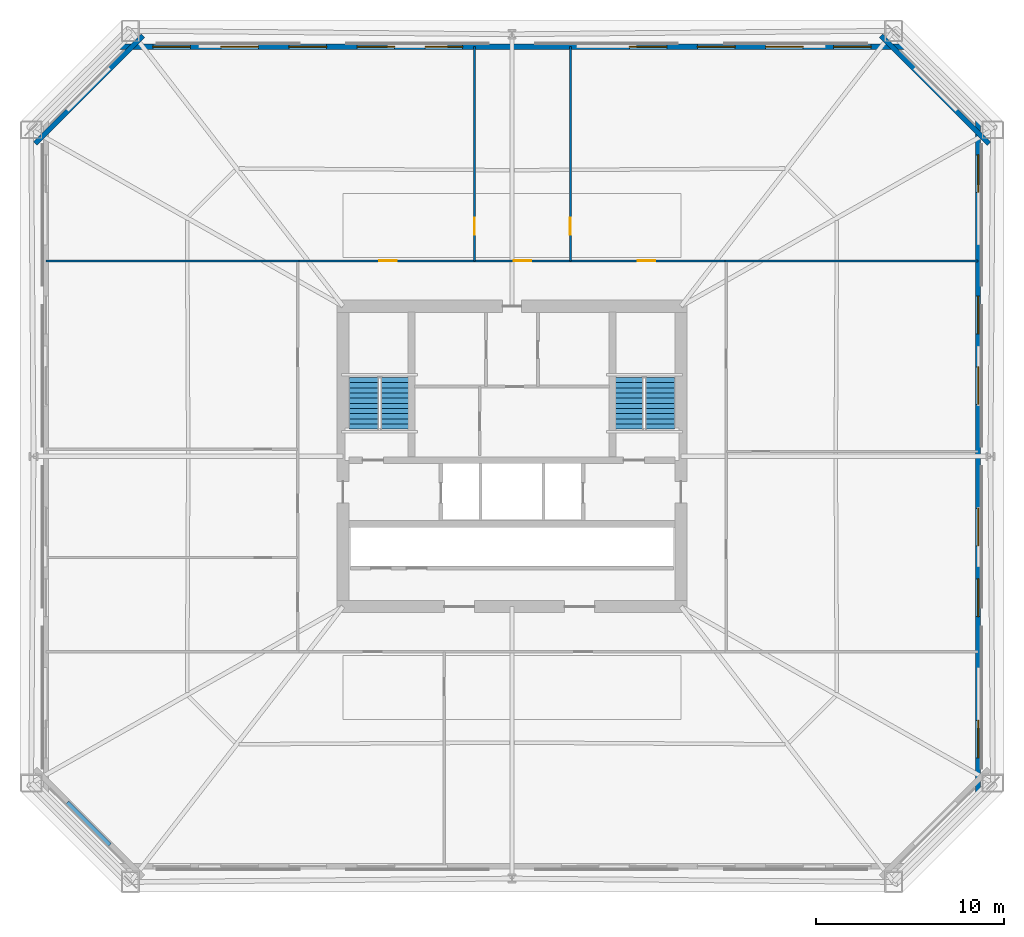
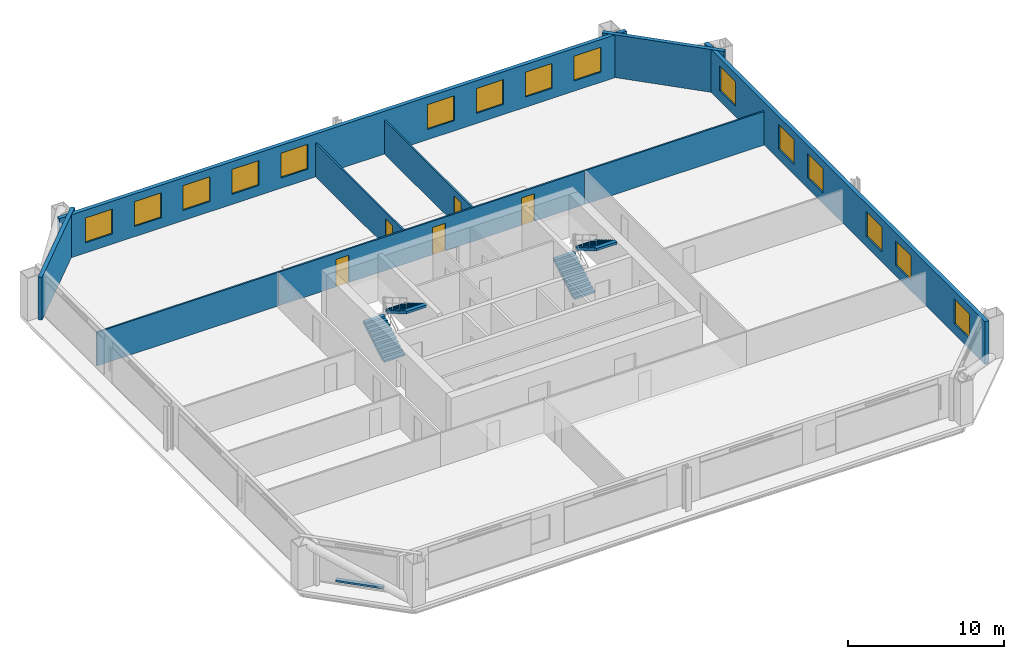
# One storey, part 7 of 11: 15 windows, 9 walls, 5 doors, 4 stair flights, 1 discrete accessory, 20 openings, 2 elements without a shape of their own.
"""IFC4 building model written with IfcOpenShell, lengths in metres."""

import ifcopenshell
import ifcopenshell.guid

model = None  # the IFC model being written
_history = None  # IfcOwnerHistory: only IFC2X3 demands one
_inside = {}  # id of a spatial element -> (the spatial element, [elements in it])
_under = {}  # id of a project, library or spatial element -> (it, [spatial elements below it])
_declared = {}  # id of a project -> (the project, [libraries it declares])
_typed = {}  # id of a type object -> (the type object, [elements of that type])
_made_of = {}  # id of a material, layer set ... -> (it, [elements and type objects made of it])


def new_model(schema):
    """Start an empty IFC model of exactly this schema.

    Asked for "IFC4X3", IfcOpenShell would pick the latest addendum, in which some entities
    have other attributes; the version numbers below select the first issue.
    IFC2X3 requires an IfcOwnerHistory on every rooted entity: one is made here for all.
    """
    global model, _history
    if schema == "IFC4X3":
        model = ifcopenshell.file(schema_version=(4, 3, 0, 0))
    else:
        model = ifcopenshell.file(schema=schema)
    _inside.clear()
    _under.clear()
    _declared.clear()
    _typed.clear()
    _made_of.clear()
    _history = None
    if model.schema == "IFC2X3":
        org = make("IfcOrganization", Name="unknown")
        user = make(
            "IfcPersonAndOrganization",
            ThePerson=make("IfcPerson", FamilyName="unknown"),
            TheOrganization=org,
        )
        app = make(
            "IfcApplication",
            ApplicationDeveloper=org,
            Version="unknown",
            ApplicationFullName="unknown",
            ApplicationIdentifier="unknown",
        )
        _history = make(
            "IfcOwnerHistory",
            OwningUser=user,
            OwningApplication=app,
            ChangeAction="ADDED",
            CreationDate=0,
        )
    return model


def make(cls, **values):
    """One entity of the class cls with the attributes given. An attribute that is None is left unset."""
    return model.create_entity(
        cls, **{name: value for name, value in values.items() if value is not None}
    )


def rooted(cls, **values):
    """An entity with a GlobalId (a new one), such as an element, a storey or a relation."""
    return make(cls, GlobalId=ifcopenshell.guid.new(), OwnerHistory=_history, **values)


def si_unit(unit_type, name, prefix=None):
    """IfcSIUnit, for example si_unit("LENGTHUNIT", "METRE", prefix="MILLI")."""
    return make("IfcSIUnit", UnitType=unit_type, Prefix=prefix, Name=name)


def assignment(units):
    """IfcUnitAssignment: the units of a project."""
    return None if units is None else make("IfcUnitAssignment", Units=units)


def point(xyz):
    """IfcCartesianPoint."""
    return None if xyz is None else make("IfcCartesianPoint", Coordinates=xyz)


def direction(xyz):
    """IfcDirection."""
    return None if xyz is None else make("IfcDirection", DirectionRatios=xyz)


def frame(location, z_axis=None, x_axis=None):
    """IfcAxis2Placement3D, a coordinate frame: its origin and axes. An axis left out is left unset."""
    return make(
        "IfcAxis2Placement3D",
        Location=point(location),
        Axis=direction(z_axis),
        RefDirection=direction(x_axis),
    )


def frame_2d(location, x_axis=None):
    """IfcAxis2Placement2D, a coordinate frame in the plane: its origin and x axis."""
    return make(
        "IfcAxis2Placement2D", Location=point(location), RefDirection=direction(x_axis)
    )


def origin():
    """The frame at (0, 0, 0) with its axes left unset."""
    return frame((0.0, 0.0, 0.0))


def origin_2d():
    """The frame at (0, 0) in the plane with its x axis left unset."""
    return frame_2d((0.0, 0.0))


def place(relative_to, where):
    """IfcLocalPlacement: puts the frame where relative to a parent placement (None: the world)."""
    return make(
        "IfcLocalPlacement", PlacementRelTo=relative_to, RelativePlacement=where
    )


def context(
    kind, dimensions, precision=None, world=None, true_north=None, identifier=None
):
    """IfcGeometricRepresentationContext, for example the 3D "Model" context."""
    return make(
        "IfcGeometricRepresentationContext",
        ContextIdentifier=identifier,
        ContextType=kind,
        CoordinateSpaceDimension=dimensions,
        Precision=precision,
        WorldCoordinateSystem=world,
        TrueNorth=true_north,
    )


def subcontext(parent, identifier, kind, view, scale=None):
    """IfcGeometricRepresentationSubContext, for example "Body" below "Model"."""
    return make(
        "IfcGeometricRepresentationSubContext",
        ContextIdentifier=identifier,
        ContextType=kind,
        ParentContext=parent,
        TargetScale=scale,
        TargetView=view,
    )


def project(units=None, contexts=None):
    """IfcProject with its units and contexts."""
    return rooted(
        "IfcProject",
        Name="project",
        RepresentationContexts=contexts,
        UnitsInContext=assignment(units),
    )


def spatial(cls, under=None, at=None, **own):
    """A site, building, storey or space (cls), placed at a placement, below another one or the project."""
    s = rooted(cls, ObjectPlacement=at, **own)
    if under is not None:
        _under.setdefault(under.id(), (under, []))[1].append(s)
    return s


def polyline(points):
    """IfcPolyline through the points."""
    return make("IfcPolyline", Points=[point(p) for p in points])


def profile(cls, at=None, kind="AREA", **sizes):
    """A parametric profile (cls). Its sizes go by their IFC names, for example OverallWidth=200.0."""
    return make(cls, ProfileType=kind, Position=at, **sizes)


def rectangle(**sizes):
    """IfcRectangleProfileDef."""
    return profile("IfcRectangleProfileDef", **sizes)


def outline(outer, holes=None, kind="AREA"):
    """IfcArbitraryClosedProfileDef: a profile drawn as a closed curve; with holes, ...WithVoids."""
    if holes is None:
        return make("IfcArbitraryClosedProfileDef", ProfileType=kind, OuterCurve=outer)
    return make(
        "IfcArbitraryProfileDefWithVoids",
        ProfileType=kind,
        OuterCurve=outer,
        InnerCurves=holes,
    )


def extrude(swept, where, along, depth):
    """IfcExtrudedAreaSolid: the profile swept, set in the frame where, extruded along a direction by depth."""
    return make(
        "IfcExtrudedAreaSolid",
        SweptArea=swept,
        Position=where,
        ExtrudedDirection=direction(along),
        Depth=depth,
    )


def shape(context_of_items, identifier, shape_type, items):
    """IfcShapeRepresentation: the items that make up one representation, for example the "Body"."""
    return make(
        "IfcShapeRepresentation",
        ContextOfItems=context_of_items,
        RepresentationIdentifier=identifier,
        RepresentationType=shape_type,
        Items=items,
    )


def material(Name=None, Category=None):
    """IfcMaterial."""
    return make("IfcMaterial", Name=Name, Category=Category)


def layer(
    of_material, thickness, ventilated=None, Name=None, Category=None, Priority=None
):
    """IfcMaterialLayer: one layer of a wall or slab, of a material (None: an air gap)."""
    return make(
        "IfcMaterialLayer",
        Material=of_material,
        LayerThickness=thickness,
        IsVentilated=ventilated,
        Name=Name,
        Category=Category,
        Priority=Priority,
    )


def layer_set(layers, Name=None):
    """IfcMaterialLayerSet."""
    return make("IfcMaterialLayerSet", MaterialLayers=layers, LayerSetName=Name)


def made_of(thing, what):
    """Note that an element or type object is made of a material, layer set ...; save() writes the relation."""
    if what is not None:
        _made_of.setdefault(what.id(), (what, []))[1].append(thing)
    return thing


def type_object(cls, material=None, **own):
    """A type object (cls), such as IfcWallType, which elements share."""
    return made_of(rooted(cls, **own), material)


def element(
    cls,
    number,
    at=None,
    inside=None,
    cuts=None,
    type_object=None,
    material=None,
    context=None,
    identifier="Body",
    shape_type=None,
    held_by="IfcProductDefinitionShape",
    body=None,
    shapes=None,
    **own,
):
    """One element of the class cls, such as IfcWall. Its Tag is "e" and its number.

    at: its placement. inside: the storey or other place that contains it. cuts: it is an
    opening in that element (IfcRelVoidsElement). A single representation is given by context,
    identifier, shape_type and body (its items); several are given by shapes. held_by: the class
    of the entity that holds the representations. save() writes the other relations.
    """
    e = rooted(cls, Tag="e%d" % number, ObjectPlacement=at, **own)
    if body is not None:
        shapes = [shape(context, identifier, shape_type, body)]
    if shapes is not None:
        e.Representation = make(held_by, Representations=shapes)
    if inside is not None:
        _inside.setdefault(inside.id(), (inside, []))[1].append(e)
    if cuts is not None:
        rooted(
            "IfcRelVoidsElement", RelatingBuildingElement=cuts, RelatedOpeningElement=e
        )
    if type_object is not None:
        _typed.setdefault(type_object.id(), (type_object, []))[1].append(e)
    return made_of(e, material)


def fill(opening, filler):
    """IfcRelFillsElement: the door or window that sits in an opening."""
    return rooted(
        "IfcRelFillsElement",
        RelatingOpeningElement=opening,
        RelatedBuildingElement=filler,
    )


def aggregate(whole, parts):
    """IfcRelAggregates: a whole, such as a stair, and the parts it consists of."""
    return rooted("IfcRelAggregates", RelatingObject=whole, RelatedObjects=parts)


def save(model, path):
    """Write the relations noted so far, then the file.

    IfcRelAggregates (storeys below a building ...), IfcRelContainedInSpatialStructure (elements
    in a storey), IfcRelDefinesByType, IfcRelAssociatesMaterial and IfcRelDeclares: one each for
    every whole, place, type object, material and project.
    """
    for whole, parts in _under.values():
        aggregate(whole, parts)
    for where, things in _inside.values():
        rooted(
            "IfcRelContainedInSpatialStructure",
            RelatedElements=things,
            RelatingStructure=where,
        )
    for kind, things in _typed.values():
        rooted("IfcRelDefinesByType", RelatedObjects=things, RelatingType=kind)
    for what, things in _made_of.values():
        rooted("IfcRelAssociatesMaterial", RelatedObjects=things, RelatingMaterial=what)
    for by, libraries in _declared.values():
        rooted("IfcRelDeclares", RelatingContext=by, RelatedDefinitions=libraries)
    model.write(path)


model = new_model("IFC4")

# Units and contexts
model_context = context("Model", 3, precision=1e-05, world=origin(), true_north=direction((0.0, 1.0)))
body_context = subcontext(model_context, "Body", "Model", "MODEL_VIEW")
ifc_project = project(units=[si_unit("LENGTHUNIT", "METRE"), si_unit("AREAUNIT", "SQUARE_METRE"), si_unit("VOLUMEUNIT", "CUBIC_METRE"), si_unit("PLANEANGLEUNIT", "RADIAN"), si_unit("MASSUNIT", "GRAM", prefix="KILO")], contexts=[model_context])

# Site, building, storey
site_placement = place(None, origin())
site = spatial("IfcSite", under=ifc_project, at=site_placement, CompositionType="ELEMENT")
building_placement = place(site_placement, origin())
building = spatial("IfcBuilding", under=site, at=building_placement, Name="Caelvoria Tower", CompositionType="ELEMENT")
storey_placement = place(building_placement, frame((0.0, 0.0, 74.800048828125)))
storey = spatial("IfcBuildingStorey", under=building, at=storey_placement, Name="L19", CompositionType="ELEMENT", Elevation=74.800048828125)

# Wall, openings, windows
ifc_material_1 = material(Name="Precast Concrete C40/50 with Bronze Cladding", Category="concrete")
ifc_layer_1 = layer(ifc_material_1, 0.280029296875, Name="Precast Concrete C40/50 with Bronze Cladding")
ifc_layer_set_1 = layer_set([ifc_layer_1], Name="Exterior Precast Concrete C40/50 Bronze-Clad Facade Wall 280 - Precast Concrete C40/50 with Bronze Cladding")
wall_type_1 = type_object("IfcWallType", Name="Exterior Precast Concrete C40/50 Bronze-Clad Facade Wall 280", PredefinedType="STANDARD", material=ifc_layer_set_1)
wall_1_placement = place(storey_placement, frame((70.820068359375, 13.9599609375, 0.0), z_axis=(0.0, 0.0, 1.0), x_axis=(0.0, 1.0, 0.0)))
wall_1 = element("IfcWall", 1, at=wall_1_placement, inside=storey, type_object=wall_type_1, Name="Exterior Facade Wall L19-E2", PredefinedType="STANDARD", context=body_context, shape_type="SweptSolid", body=[
    extrude(rectangle(XDim=36.080078125, YDim=0.280029296875, at=frame_2d((18.0400390625, 0.0))), origin(), (0.0, 0.0, 1.0), 3.35986328125),
])
opening_1_placement = place(wall_1_placement, frame((1.982177734375, 0.0, 0.800048828125)))
opening_1 = element("IfcOpeningElement", 2, at=opening_1_placement, cuts=wall_1, Name="Opening WN-01", PredefinedType="OPENING", context=body_context, shape_type="SweptSolid", body=[
    extrude(rectangle(XDim=2.0, YDim=1.949951171875, at=frame_2d((1.0, 0.97509765625))), frame((0.0, 0.14990234375, 0.0), z_axis=(0.0, -1.0, 0.0), x_axis=(1.0, 0.0, 0.0)), (0.0, 0.0, 1.0), 0.300048828125),
])
opening_2_placement = place(wall_1_placement, frame((9.510986328125, 0.0, 0.800048828125)))
opening_2 = element("IfcOpeningElement", 3, at=opening_2_placement, cuts=wall_1, Name="Opening WN-01", PredefinedType="OPENING", context=body_context, shape_type="SweptSolid", body=[
    extrude(rectangle(XDim=2.0, YDim=1.949951171875, at=frame_2d((1.0, 0.97509765625))), frame((0.0, 0.14990234375, 0.0), z_axis=(0.0, -1.0, 0.0), x_axis=(1.0, 0.0, 0.0)), (0.0, 0.0, 1.0), 0.300048828125),
])
opening_3_placement = place(wall_1_placement, frame((13.275634765625, 0.0, 0.800048828125)))
opening_3 = element("IfcOpeningElement", 4, at=opening_3_placement, cuts=wall_1, Name="Opening WN-01", PredefinedType="OPENING", context=body_context, shape_type="SweptSolid", body=[
    extrude(rectangle(XDim=2.0, YDim=1.949951171875, at=frame_2d((1.0, 0.97509765625))), frame((0.0, 0.14990234375, 0.0), z_axis=(0.0, -1.0, 0.0), x_axis=(1.0, 0.0, 0.0)), (0.0, 0.0, 1.0), 0.300048828125),
])
opening_4_placement = place(wall_1_placement, frame((20.804443359375, 0.0, 0.800048828125)))
opening_4 = element("IfcOpeningElement", 5, at=opening_4_placement, cuts=wall_1, Name="Opening WN-01", PredefinedType="OPENING", context=body_context, shape_type="SweptSolid", body=[
    extrude(rectangle(XDim=2.0, YDim=1.949951171875, at=frame_2d((1.0, 0.97509765625))), frame((0.0, 0.14990234375, 0.0), z_axis=(0.0, -1.0, 0.0), x_axis=(1.0, 0.0, 0.0)), (0.0, 0.0, 1.0), 0.300048828125),
])
opening_5_placement = place(wall_1_placement, frame((24.56884765625, 0.0, 0.800048828125)))
opening_5 = element("IfcOpeningElement", 6, at=opening_5_placement, cuts=wall_1, Name="Opening WN-01", PredefinedType="OPENING", context=body_context, shape_type="SweptSolid", body=[
    extrude(rectangle(XDim=2.0, YDim=1.949951171875, at=frame_2d((1.0, 0.97509765625))), frame((0.0, 0.14990234375, 0.0), z_axis=(0.0, -1.0, 0.0), x_axis=(1.0, 0.0, 0.0)), (0.0, 0.0, 1.0), 0.300048828125),
])
opening_6_placement = place(wall_1_placement, frame((32.097900390625, 0.0, 0.800048828125)))
opening_6 = element("IfcOpeningElement", 7, at=opening_6_placement, cuts=wall_1, Name="Opening WN-01", PredefinedType="OPENING", context=body_context, shape_type="SweptSolid", body=[
    extrude(rectangle(XDim=2.0, YDim=1.949951171875, at=frame_2d((1.0, 0.97509765625))), frame((0.0, 0.14990234375, 0.0), z_axis=(0.0, -1.0, 0.0), x_axis=(1.0, 0.0, 0.0)), (0.0, 0.0, 1.0), 0.300048828125),
])
ifc_material_2 = material(Name="Low-E Tinted Glass in Bronze Aluminium Frame", Category="aluminium")
window_type = type_object("IfcWindowType", Name="Tower Office Vision Window 2000x1950", PartitioningType="SINGLE_PANEL", PredefinedType="WINDOW", material=ifc_material_2)
window_1_placement = place(opening_1_placement, origin())
window_1 = element("IfcWindow", 8, at=window_1_placement, inside=storey, type_object=window_type, Name="Facade Window L19-E2-00", OverallHeight=1.949951171875, OverallWidth=2.0, PartitioningType="SINGLE_PANEL", PredefinedType="WINDOW", context=body_context, shape_type="SweptSolid", body=[
    extrude(rectangle(XDim=2.0, YDim=1.949951171875, at=frame_2d((1.0, 0.97509765625))), frame((0.0, 0.030029296875, 0.0), z_axis=(0.0, -1.0, 0.0), x_axis=(1.0, 0.0, 0.0)), (0.0, 0.0, 1.0), 0.06005859375),
])
fill(opening_1, window_1)
window_2_placement = place(opening_2_placement, origin())
window_2 = element("IfcWindow", 9, at=window_2_placement, inside=storey, type_object=window_type, Name="Facade Window L19-E2-02", OverallHeight=1.949951171875, OverallWidth=2.0, PartitioningType="SINGLE_PANEL", PredefinedType="WINDOW", context=body_context, shape_type="SweptSolid", body=[
    extrude(rectangle(XDim=2.0, YDim=1.949951171875, at=frame_2d((1.0, 0.97509765625))), frame((0.0, 0.030029296875, 0.0), z_axis=(0.0, -1.0, 0.0), x_axis=(1.0, 0.0, 0.0)), (0.0, 0.0, 1.0), 0.06005859375),
])
fill(opening_2, window_2)
window_3_placement = place(opening_3_placement, origin())
window_3 = element("IfcWindow", 10, at=window_3_placement, inside=storey, type_object=window_type, Name="Facade Window L19-E2-03", OverallHeight=1.949951171875, OverallWidth=2.0, PartitioningType="SINGLE_PANEL", PredefinedType="WINDOW", context=body_context, shape_type="SweptSolid", body=[
    extrude(rectangle(XDim=2.0, YDim=1.949951171875, at=frame_2d((1.0, 0.97509765625))), frame((0.0, 0.030029296875, 0.0), z_axis=(0.0, -1.0, 0.0), x_axis=(1.0, 0.0, 0.0)), (0.0, 0.0, 1.0), 0.06005859375),
])
fill(opening_3, window_3)
window_4_placement = place(opening_4_placement, origin())
window_4 = element("IfcWindow", 11, at=window_4_placement, inside=storey, type_object=window_type, Name="Facade Window L19-E2-05", OverallHeight=1.949951171875, OverallWidth=2.0, PartitioningType="SINGLE_PANEL", PredefinedType="WINDOW", context=body_context, shape_type="SweptSolid", body=[
    extrude(rectangle(XDim=2.0, YDim=1.949951171875, at=frame_2d((1.0, 0.97509765625))), frame((0.0, 0.030029296875, 0.0), z_axis=(0.0, -1.0, 0.0), x_axis=(1.0, 0.0, 0.0)), (0.0, 0.0, 1.0), 0.06005859375),
])
fill(opening_4, window_4)
window_5_placement = place(opening_5_placement, origin())
window_5 = element("IfcWindow", 12, at=window_5_placement, inside=storey, type_object=window_type, Name="Facade Window L19-E2-06", OverallHeight=1.949951171875, OverallWidth=2.0, PartitioningType="SINGLE_PANEL", PredefinedType="WINDOW", context=body_context, shape_type="SweptSolid", body=[
    extrude(rectangle(XDim=2.0, YDim=1.949951171875, at=frame_2d((1.0, 0.97509765625))), frame((0.0, 0.030029296875, 0.0), z_axis=(0.0, -1.0, 0.0), x_axis=(1.0, 0.0, 0.0)), (0.0, 0.0, 1.0), 0.06005859375),
])
fill(opening_5, window_5)
window_6_placement = place(opening_6_placement, origin())
window_6 = element("IfcWindow", 13, at=window_6_placement, inside=storey, type_object=window_type, Name="Facade Window L19-E2-08", OverallHeight=1.949951171875, OverallWidth=2.0, PartitioningType="SINGLE_PANEL", PredefinedType="WINDOW", context=body_context, shape_type="SweptSolid", body=[
    extrude(rectangle(XDim=2.0, YDim=1.949951171875, at=frame_2d((1.0, 0.97509765625))), frame((0.0, 0.030029296875, 0.0), z_axis=(0.0, -1.0, 0.0), x_axis=(1.0, 0.0, 0.0)), (0.0, 0.0, 1.0), 0.06005859375),
])
fill(opening_6, window_6)

# Wall
wall_2_placement = place(storey_placement, frame((71.393798828125, 48.654541015625, 0.0), z_axis=(0.0, 0.0, 1.0), x_axis=(-0.707106781187, 0.707106781187, 0.0)))
element("IfcWall", 14, at=wall_2_placement, inside=storey, type_object=wall_type_1, Name="Exterior Facade Wall L19-E3", PredefinedType="STANDARD", context=body_context, shape_type="SweptSolid", body=[
    extrude(rectangle(XDim=8.116455078125, YDim=0.280029296875, at=frame_2d((4.05810546875, 0.0))), origin(), (0.0, 0.0, 1.0), 3.35986328125),
])

# Wall, openings, windows
wall_3_placement = place(storey_placement, frame((67.0400390625, 53.820068359375, 0.0), z_axis=(0.0, 0.0, 1.0), x_axis=(-1.0, 0.0, 0.0)))
wall_3 = element("IfcWall", 15, at=wall_3_placement, inside=storey, type_object=wall_type_1, Name="Exterior Facade Wall L19-E4", PredefinedType="STANDARD", context=body_context, shape_type="SweptSolid", body=[
    extrude(rectangle(XDim=42.080078125, YDim=0.280029296875, at=frame_2d((21.0400390625, 0.0))), origin(), (0.0, 0.0, 1.0), 3.35986328125),
])
opening_7_placement = place(wall_3_placement, frame((1.91259765625, 0.0, 0.800048828125)))
opening_7 = element("IfcOpeningElement", 16, at=opening_7_placement, cuts=wall_3, Name="Opening WN-01", PredefinedType="OPENING", context=body_context, shape_type="SweptSolid", body=[
    extrude(rectangle(XDim=2.0, YDim=1.949951171875, at=frame_2d((1.0, 0.97509765625))), frame((0.0, 0.14990234375, 0.0), z_axis=(0.0, -1.0, 0.0), x_axis=(1.0, 0.0, 0.0)), (0.0, 0.0, 1.0), 0.300048828125),
])
opening_8_placement = place(wall_3_placement, frame((5.5380859375, 0.0, 0.800048828125)))
opening_8 = element("IfcOpeningElement", 17, at=opening_8_placement, cuts=wall_3, Name="Opening WN-01", PredefinedType="OPENING", context=body_context, shape_type="SweptSolid", body=[
    extrude(rectangle(XDim=2.0, YDim=1.949951171875, at=frame_2d((1.0, 0.97509765625))), frame((0.0, 0.14990234375, 0.0), z_axis=(0.0, -1.0, 0.0), x_axis=(1.0, 0.0, 0.0)), (0.0, 0.0, 1.0), 0.300048828125),
])
opening_9_placement = place(wall_3_placement, frame((9.16357421875, 0.0, 0.800048828125)))
opening_9 = element("IfcOpeningElement", 18, at=opening_9_placement, cuts=wall_3, Name="Opening WN-01", PredefinedType="OPENING", context=body_context, shape_type="SweptSolid", body=[
    extrude(rectangle(XDim=2.0, YDim=1.949951171875, at=frame_2d((1.0, 0.97509765625))), frame((0.0, 0.14990234375, 0.0), z_axis=(0.0, -1.0, 0.0), x_axis=(1.0, 0.0, 0.0)), (0.0, 0.0, 1.0), 0.300048828125),
])
opening_10_placement = place(wall_3_placement, frame((12.7890625, 0.0, 0.800048828125)))
opening_10 = element("IfcOpeningElement", 19, at=opening_10_placement, cuts=wall_3, Name="Opening WN-01", PredefinedType="OPENING", context=body_context, shape_type="SweptSolid", body=[
    extrude(rectangle(XDim=2.0, YDim=1.949951171875, at=frame_2d((1.0, 0.97509765625))), frame((0.0, 0.14990234375, 0.0), z_axis=(0.0, -1.0, 0.0), x_axis=(1.0, 0.0, 0.0)), (0.0, 0.0, 1.0), 0.300048828125),
])
opening_11_placement = place(wall_3_placement, frame((23.66552734375, 0.0, 0.800048828125)))
opening_11 = element("IfcOpeningElement", 20, at=opening_11_placement, cuts=wall_3, Name="Opening WN-01", PredefinedType="OPENING", context=body_context, shape_type="SweptSolid", body=[
    extrude(rectangle(XDim=2.0, YDim=1.949951171875, at=frame_2d((1.0, 0.97509765625))), frame((0.0, 0.14990234375, 0.0), z_axis=(0.0, -1.0, 0.0), x_axis=(1.0, 0.0, 0.0)), (0.0, 0.0, 1.0), 0.300048828125),
])
opening_12_placement = place(wall_3_placement, frame((27.291015625, 0.0, 0.800048828125)))
opening_12 = element("IfcOpeningElement", 21, at=opening_12_placement, cuts=wall_3, Name="Opening WN-01", PredefinedType="OPENING", context=body_context, shape_type="SweptSolid", body=[
    extrude(rectangle(XDim=2.0, YDim=1.949951171875, at=frame_2d((1.0, 0.97509765625))), frame((0.0, 0.14990234375, 0.0), z_axis=(0.0, -1.0, 0.0), x_axis=(1.0, 0.0, 0.0)), (0.0, 0.0, 1.0), 0.300048828125),
])
opening_13_placement = place(wall_3_placement, frame((30.91650390625, 0.0, 0.800048828125)))
opening_13 = element("IfcOpeningElement", 22, at=opening_13_placement, cuts=wall_3, Name="Opening WN-01", PredefinedType="OPENING", context=body_context, shape_type="SweptSolid", body=[
    extrude(rectangle(XDim=2.0, YDim=1.949951171875, at=frame_2d((1.0, 0.97509765625))), frame((0.0, 0.14990234375, 0.0), z_axis=(0.0, -1.0, 0.0), x_axis=(1.0, 0.0, 0.0)), (0.0, 0.0, 1.0), 0.300048828125),
])
opening_14_placement = place(wall_3_placement, frame((34.541748046875, 0.0, 0.800048828125)))
opening_14 = element("IfcOpeningElement", 23, at=opening_14_placement, cuts=wall_3, Name="Opening WN-01", PredefinedType="OPENING", context=body_context, shape_type="SweptSolid", body=[
    extrude(rectangle(XDim=2.0, YDim=1.949951171875, at=frame_2d((1.0, 0.97509765625))), frame((0.0, 0.14990234375, 0.0), z_axis=(0.0, -1.0, 0.0), x_axis=(1.0, 0.0, 0.0)), (0.0, 0.0, 1.0), 0.300048828125),
])
opening_15_placement = place(wall_3_placement, frame((38.167236328125, 0.0, 0.800048828125)))
opening_15 = element("IfcOpeningElement", 24, at=opening_15_placement, cuts=wall_3, Name="Opening WN-01", PredefinedType="OPENING", context=body_context, shape_type="SweptSolid", body=[
    extrude(rectangle(XDim=2.0, YDim=1.949951171875, at=frame_2d((1.0, 0.97509765625))), frame((0.0, 0.14990234375, 0.0), z_axis=(0.0, -1.0, 0.0), x_axis=(1.0, 0.0, 0.0)), (0.0, 0.0, 1.0), 0.300048828125),
])
window_7_placement = place(opening_7_placement, origin())
window_7 = element("IfcWindow", 25, at=window_7_placement, inside=storey, type_object=window_type, Name="Facade Window L19-E4-00", OverallHeight=1.949951171875, OverallWidth=2.0, PartitioningType="SINGLE_PANEL", PredefinedType="WINDOW", context=body_context, shape_type="SweptSolid", body=[
    extrude(rectangle(XDim=2.0, YDim=1.949951171875, at=frame_2d((1.0, 0.97509765625))), frame((0.0, 0.030029296875, 0.0), z_axis=(0.0, -1.0, 0.0), x_axis=(1.0, 0.0, 0.0)), (0.0, 0.0, 1.0), 0.06005859375),
])
fill(opening_7, window_7)
window_8_placement = place(opening_8_placement, origin())
window_8 = element("IfcWindow", 26, at=window_8_placement, inside=storey, type_object=window_type, Name="Facade Window L19-E4-01", OverallHeight=1.949951171875, OverallWidth=2.0, PartitioningType="SINGLE_PANEL", PredefinedType="WINDOW", context=body_context, shape_type="SweptSolid", body=[
    extrude(rectangle(XDim=2.0, YDim=1.949951171875, at=frame_2d((1.0, 0.97509765625))), frame((0.0, 0.030029296875, 0.0), z_axis=(0.0, -1.0, 0.0), x_axis=(1.0, 0.0, 0.0)), (0.0, 0.0, 1.0), 0.06005859375),
])
fill(opening_8, window_8)
window_9_placement = place(opening_9_placement, origin())
window_9 = element("IfcWindow", 27, at=window_9_placement, inside=storey, type_object=window_type, Name="Facade Window L19-E4-02", OverallHeight=1.949951171875, OverallWidth=2.0, PartitioningType="SINGLE_PANEL", PredefinedType="WINDOW", context=body_context, shape_type="SweptSolid", body=[
    extrude(rectangle(XDim=2.0, YDim=1.949951171875, at=frame_2d((1.0, 0.97509765625))), frame((0.0, 0.030029296875, 0.0), z_axis=(0.0, -1.0, 0.0), x_axis=(1.0, 0.0, 0.0)), (0.0, 0.0, 1.0), 0.06005859375),
])
fill(opening_9, window_9)
window_10_placement = place(opening_10_placement, origin())
window_10 = element("IfcWindow", 28, at=window_10_placement, inside=storey, type_object=window_type, Name="Facade Window L19-E4-03", OverallHeight=1.949951171875, OverallWidth=2.0, PartitioningType="SINGLE_PANEL", PredefinedType="WINDOW", context=body_context, shape_type="SweptSolid", body=[
    extrude(rectangle(XDim=2.0, YDim=1.949951171875, at=frame_2d((1.0, 0.97509765625))), frame((0.0, 0.030029296875, 0.0), z_axis=(0.0, -1.0, 0.0), x_axis=(1.0, 0.0, 0.0)), (0.0, 0.0, 1.0), 0.06005859375),
])
fill(opening_10, window_10)
window_11_placement = place(opening_11_placement, origin())
window_11 = element("IfcWindow", 29, at=window_11_placement, inside=storey, type_object=window_type, Name="Facade Window L19-E4-06", OverallHeight=1.949951171875, OverallWidth=2.0, PartitioningType="SINGLE_PANEL", PredefinedType="WINDOW", context=body_context, shape_type="SweptSolid", body=[
    extrude(rectangle(XDim=2.0, YDim=1.949951171875, at=frame_2d((1.0, 0.97509765625))), frame((0.0, 0.030029296875, 0.0), z_axis=(0.0, -1.0, 0.0), x_axis=(1.0, 0.0, 0.0)), (0.0, 0.0, 1.0), 0.06005859375),
])
fill(opening_11, window_11)
window_12_placement = place(opening_12_placement, origin())
window_12 = element("IfcWindow", 30, at=window_12_placement, inside=storey, type_object=window_type, Name="Facade Window L19-E4-07", OverallHeight=1.949951171875, OverallWidth=2.0, PartitioningType="SINGLE_PANEL", PredefinedType="WINDOW", context=body_context, shape_type="SweptSolid", body=[
    extrude(rectangle(XDim=2.0, YDim=1.949951171875, at=frame_2d((1.0, 0.97509765625))), frame((0.0, 0.030029296875, 0.0), z_axis=(0.0, -1.0, 0.0), x_axis=(1.0, 0.0, 0.0)), (0.0, 0.0, 1.0), 0.06005859375),
])
fill(opening_12, window_12)
window_13_placement = place(opening_13_placement, origin())
window_13 = element("IfcWindow", 31, at=window_13_placement, inside=storey, type_object=window_type, Name="Facade Window L19-E4-08", OverallHeight=1.949951171875, OverallWidth=2.0, PartitioningType="SINGLE_PANEL", PredefinedType="WINDOW", context=body_context, shape_type="SweptSolid", body=[
    extrude(rectangle(XDim=2.0, YDim=1.949951171875, at=frame_2d((1.0, 0.97509765625))), frame((0.0, 0.030029296875, 0.0), z_axis=(0.0, -1.0, 0.0), x_axis=(1.0, 0.0, 0.0)), (0.0, 0.0, 1.0), 0.06005859375),
])
fill(opening_13, window_13)
window_14_placement = place(opening_14_placement, origin())
window_14 = element("IfcWindow", 32, at=window_14_placement, inside=storey, type_object=window_type, Name="Facade Window L19-E4-09", OverallHeight=1.949951171875, OverallWidth=2.0, PartitioningType="SINGLE_PANEL", PredefinedType="WINDOW", context=body_context, shape_type="SweptSolid", body=[
    extrude(rectangle(XDim=2.0, YDim=1.949951171875, at=frame_2d((1.0, 0.97509765625))), frame((0.0, 0.030029296875, 0.0), z_axis=(0.0, -1.0, 0.0), x_axis=(1.0, 0.0, 0.0)), (0.0, 0.0, 1.0), 0.06005859375),
])
fill(opening_14, window_14)
window_15_placement = place(opening_15_placement, origin())
window_15 = element("IfcWindow", 33, at=window_15_placement, inside=storey, type_object=window_type, Name="Facade Window L19-E4-10", OverallHeight=1.949951171875, OverallWidth=2.0, PartitioningType="SINGLE_PANEL", PredefinedType="WINDOW", context=body_context, shape_type="SweptSolid", body=[
    extrude(rectangle(XDim=2.0, YDim=1.949951171875, at=frame_2d((1.0, 0.97509765625))), frame((0.0, 0.030029296875, 0.0), z_axis=(0.0, -1.0, 0.0), x_axis=(1.0, 0.0, 0.0)), (0.0, 0.0, 1.0), 0.06005859375),
])
fill(opening_15, window_15)

# Wall
wall_4_placement = place(storey_placement, frame((26.345458984375, 54.393798828125, 0.0), z_axis=(0.0, 0.0, 1.0), x_axis=(-0.707106781187, -0.707106781187, 0.0)))
element("IfcWall", 34, at=wall_4_placement, inside=storey, type_object=wall_type_1, Name="Exterior Facade Wall L19-E5", PredefinedType="STANDARD", context=body_context, shape_type="SweptSolid", body=[
    extrude(rectangle(XDim=8.116455078125, YDim=0.280029296875, at=frame_2d((4.05810546875, 0.0))), origin(), (0.0, 0.0, 1.0), 3.35986328125),
])

# Wall, opening, door
ifc_material_3 = material(Name="Acoustic Gypsum Board on Light-Gauge Stud", Category="gypsum")
ifc_layer_2 = layer(ifc_material_3, 0.1201171875, Name="Acoustic Gypsum Board on Light-Gauge Stud")
ifc_layer_set_2 = layer_set([ifc_layer_2], Name="Tenant Suite Acoustic Partition Wall 120 - Acoustic Gypsum Board on Light-Gauge Stud")
wall_type_2 = type_object("IfcWallType", Name="Tenant Suite Acoustic Partition Wall 120", PredefinedType="PARTITIONING", material=ifc_layer_set_2)
wall_5_placement = place(storey_placement, frame((44.004150390625, 42.409912109375, 0.0), z_axis=(0.0, 0.0, 1.0), x_axis=(0.0, 1.0, 0.0)))
wall_5 = element("IfcWall", 35, at=wall_5_placement, inside=storey, type_object=wall_type_2, Name="Interior Partition IW-L19-ND-00-0", PredefinedType="PARTITIONING", context=body_context, shape_type="SweptSolid", body=[
    extrude(rectangle(XDim=11.41015625, YDim=0.1201171875, at=frame_2d((5.705078125, 0.0))), origin(), (0.0, 0.0, 1.0), 2.639892578125),
])
opening_16_placement = place(wall_5_placement, frame((1.39990234375, 0.0, 0.0)))
opening_16 = element("IfcOpeningElement", 36, at=opening_16_placement, cuts=wall_5, Name="Opening ID-06", PredefinedType="OPENING", context=body_context, shape_type="SweptSolid", body=[
    extrude(rectangle(XDim=0.89990234375, YDim=2.14990234375, at=frame_2d((0.449951171875, 1.074951171875))), frame((0.0, 0.070068359375, 0.0), z_axis=(0.0, -1.0, 0.0), x_axis=(1.0, 0.0, 0.0)), (0.0, 0.0, 1.0), 0.14013671875),
])
ifc_material_4 = material(Name="Engineered Andean Oak Veneer Door", Category="wood")
door_type_1 = type_object("IfcDoorType", Name="Interior Timber Door 900x2150", OperationType="NOTDEFINED", PredefinedType="DOOR", material=ifc_material_4)
door_1_placement = place(opening_16_placement, origin())
door_1 = element("IfcDoor", 37, at=door_1_placement, inside=storey, type_object=door_type_1, Name="Interior Door DR-L19-NM-00-0", OperationType="SINGLE_SWING_RIGHT", OverallHeight=2.14990234375, OverallWidth=0.89990234375, PredefinedType="DOOR", context=body_context, shape_type="SweptSolid", body=[
    extrude(rectangle(XDim=0.89990234375, YDim=2.14990234375, at=frame_2d((0.449951171875, 1.074951171875))), frame((0.0, 0.02490234375, 0.0), z_axis=(0.0, -1.0, 0.0), x_axis=(1.0, 0.0, 0.0)), (0.0, 0.0, 1.0), 0.050048828125),
])
fill(opening_16, door_1)

wall_6_placement = place(storey_placement, frame((49.109619140625, 42.409912109375, 0.0), z_axis=(0.0, 0.0, 1.0), x_axis=(0.0, 1.0, 0.0)))
wall_6 = element("IfcWall", 38, at=wall_6_placement, inside=storey, type_object=wall_type_2, Name="Interior Partition IW-L19-ND-01-0", PredefinedType="PARTITIONING", context=body_context, shape_type="SweptSolid", body=[
    extrude(rectangle(XDim=11.41015625, YDim=0.1201171875, at=frame_2d((5.705078125, 0.0))), origin(), (0.0, 0.0, 1.0), 2.639892578125),
])
opening_17_placement = place(wall_6_placement, frame((1.39990234375, 0.0, 0.0)))
opening_17 = element("IfcOpeningElement", 39, at=opening_17_placement, cuts=wall_6, Name="Opening ID-06", PredefinedType="OPENING", context=body_context, shape_type="SweptSolid", body=[
    extrude(rectangle(XDim=0.89990234375, YDim=2.14990234375, at=frame_2d((0.449951171875, 1.074951171875))), frame((0.0, 0.070068359375, 0.0), z_axis=(0.0, -1.0, 0.0), x_axis=(1.0, 0.0, 0.0)), (0.0, 0.0, 1.0), 0.14013671875),
])
door_2_placement = place(opening_17_placement, origin())
door_2 = element("IfcDoor", 40, at=door_2_placement, inside=storey, type_object=door_type_1, Name="Interior Door DR-L19-NM-01-0", OperationType="SINGLE_SWING_LEFT", OverallHeight=2.14990234375, OverallWidth=0.89990234375, PredefinedType="DOOR", context=body_context, shape_type="SweptSolid", body=[
    extrude(rectangle(XDim=0.89990234375, YDim=2.14990234375, at=frame_2d((0.449951171875, 1.074951171875))), frame((0.0, 0.02490234375, 0.0), z_axis=(0.0, -1.0, 0.0), x_axis=(1.0, 0.0, 0.0)), (0.0, 0.0, 1.0), 0.050048828125),
])
fill(opening_17, door_2)

# Wall, openings, doors
wall_7_placement = place(storey_placement, frame((34.64990234375, 42.409912109375, 0.0), z_axis=(0.0, 0.0, 1.0), x_axis=(1.0, 0.0, 0.0)))
wall_7 = element("IfcWall", 41, at=wall_7_placement, inside=storey, type_object=wall_type_2, Name="Interior Partition IW-L19-NCW-0", PredefinedType="PARTITIONING", context=body_context, shape_type="SweptSolid", body=[
    extrude(rectangle(XDim=22.7001953125, YDim=0.1201171875, at=frame_2d((11.35009765625, 0.0))), origin(), (0.0, 0.0, 1.0), 2.639892578125),
])
opening_18_placement = place(wall_7_placement, frame((4.27197265625, 0.0, 0.0)))
opening_18 = element("IfcOpeningElement", 42, at=opening_18_placement, cuts=wall_7, Name="Opening ID-05", PredefinedType="OPENING", context=body_context, shape_type="SweptSolid", body=[
    extrude(rectangle(XDim=0.949951171875, YDim=2.14990234375, at=frame_2d((0.47509765625, 1.074951171875))), frame((0.0, 0.070068359375, 0.0), z_axis=(0.0, -1.0, 0.0), x_axis=(1.0, 0.0, 0.0)), (0.0, 0.0, 1.0), 0.14013671875),
])
opening_19_placement = place(wall_7_placement, frame((11.431884765625, 0.0, 0.0)))
opening_19 = element("IfcOpeningElement", 43, at=opening_19_placement, cuts=wall_7, Name="Opening ID-05", PredefinedType="OPENING", context=body_context, shape_type="SweptSolid", body=[
    extrude(rectangle(XDim=0.949951171875, YDim=2.14990234375, at=frame_2d((0.47509765625, 1.074951171875))), frame((0.0, 0.070068359375, 0.0), z_axis=(0.0, -1.0, 0.0), x_axis=(1.0, 0.0, 0.0)), (0.0, 0.0, 1.0), 0.14013671875),
])
opening_20_placement = place(wall_7_placement, frame((18.034912109375, 0.0, 0.0)))
opening_20 = element("IfcOpeningElement", 44, at=opening_20_placement, cuts=wall_7, Name="Opening ID-05", PredefinedType="OPENING", context=body_context, shape_type="SweptSolid", body=[
    extrude(rectangle(XDim=0.949951171875, YDim=2.14990234375, at=frame_2d((0.47509765625, 1.074951171875))), frame((0.0, 0.070068359375, 0.0), z_axis=(0.0, -1.0, 0.0), x_axis=(1.0, 0.0, 0.0)), (0.0, 0.0, 1.0), 0.14013671875),
])
door_type_2 = type_object("IfcDoorType", Name="Interior Timber Door 950x2150", OperationType="NOTDEFINED", PredefinedType="DOOR", material=ifc_material_4)
door_3_placement = place(opening_18_placement, origin())
door_3 = element("IfcDoor", 45, at=door_3_placement, inside=storey, type_object=door_type_2, Name="Interior Door DR-L19-NC-00-0", OperationType="SINGLE_SWING_RIGHT", OverallHeight=2.14990234375, OverallWidth=0.949951171875, PredefinedType="DOOR", context=body_context, shape_type="SweptSolid", body=[
    extrude(rectangle(XDim=0.949951171875, YDim=2.14990234375, at=frame_2d((0.47509765625, 1.074951171875))), frame((0.0, 0.02490234375, 0.0), z_axis=(0.0, -1.0, 0.0), x_axis=(1.0, 0.0, 0.0)), (0.0, 0.0, 1.0), 0.050048828125),
])
fill(opening_18, door_3)
door_4_placement = place(opening_19_placement, origin())
door_4 = element("IfcDoor", 46, at=door_4_placement, inside=storey, type_object=door_type_2, Name="Interior Door DR-L19-NC-01-0", OperationType="SINGLE_SWING_LEFT", OverallHeight=2.14990234375, OverallWidth=0.949951171875, PredefinedType="DOOR", context=body_context, shape_type="SweptSolid", body=[
    extrude(rectangle(XDim=0.949951171875, YDim=2.14990234375, at=frame_2d((0.47509765625, 1.074951171875))), frame((0.0, 0.02490234375, 0.0), z_axis=(0.0, -1.0, 0.0), x_axis=(1.0, 0.0, 0.0)), (0.0, 0.0, 1.0), 0.050048828125),
])
fill(opening_19, door_4)
door_5_placement = place(opening_20_placement, origin())
door_5 = element("IfcDoor", 47, at=door_5_placement, inside=storey, type_object=door_type_2, Name="Interior Door DR-L19-NC-02-0", OperationType="SINGLE_SWING_RIGHT", OverallHeight=2.14990234375, OverallWidth=0.949951171875, PredefinedType="DOOR", context=body_context, shape_type="SweptSolid", body=[
    extrude(rectangle(XDim=0.949951171875, YDim=2.14990234375, at=frame_2d((0.47509765625, 1.074951171875))), frame((0.0, 0.02490234375, 0.0), z_axis=(0.0, -1.0, 0.0), x_axis=(1.0, 0.0, 0.0)), (0.0, 0.0, 1.0), 0.050048828125),
])
fill(opening_20, door_5)

# Walls
for number, where, z_axis, x_axis, name in (
    (48, (34.64990234375, 42.409912109375, 0.0), (0.0, 0.0, 1.0), (-1.0, 0.0, 0.0), "Interior Partition IW-L19-BNW-0"),
    (49, (57.35009765625, 42.409912109375, 0.0), (0.0, 0.0, 1.0), (1.0, 0.0, 0.0), "Interior Partition IW-L19-BNE-0"),
):
    element("IfcWall", number, at=place(storey_placement, frame(where, z_axis=z_axis, x_axis=x_axis)), inside=storey, type_object=wall_type_2, Name=name, PredefinedType="PARTITIONING", context=body_context, shape_type="SweptSolid", body=[
        extrude(rectangle(XDim=13.469970703125, YDim=0.1201171875, at=frame_2d((6.73486328125, 0.0))), origin(), (0.0, 0.0, 1.0), 2.639892578125),
    ])

# Stair, stair flights
ifc_material_5 = material(Name="Concrete C40/50", Category="concrete")
stair_type = type_object("IfcStairType", Name="Core Smokeproof Dogleg Stair Concrete C40/50", PredefinedType="HALF_TURN_STAIR", material=ifc_material_5)
stair_1_placement = place(storey_placement, origin())
stair_1 = element("IfcStair", 50, at=stair_1_placement, inside=storey, type_object=stair_type, Name="ST-01 Smokeproof Exit Stair L19", PredefinedType="HALF_TURN_STAIR")
ifc_material_6 = material(Name="Precast Concrete C40/50", Category="concrete")
stair_flight_type = type_object("IfcStairFlightType", Name="Precast Concrete C40/50 Stair Flight 1480", PredefinedType="STRAIGHT", material=ifc_material_6)
stair_flight_1_placement = place(storey_placement, frame((38.1298828125, 33.449951171875, 0.0), z_axis=(0.0, 0.0, 1.0), x_axis=(0.0, 1.0, 0.0)))
stair_flight_1 = element("IfcStairFlight", 51, at=stair_flight_1_placement, type_object=stair_flight_type, Name="ST-01 flight 1", NumberOfRisers=11, NumberOfTreads=10, PredefinedType="STRAIGHT", RiserHeight=0.1636, TreadLength=0.275, context=body_context, shape_type="SweptSolid", body=[
    extrude(outline(polyline([(0.0, 0.0), (0.0, 0.16357421875), (0.27490234375, 0.16357421875), (0.27490234375, 0.3271484375), (0.550048828125, 0.3271484375), (0.550048828125, 0.49072265625), (0.824951171875, 0.49072265625), (0.824951171875, 0.654296875), (1.10009765625, 0.654296875), (1.10009765625, 0.818115234375), (1.375, 0.818115234375), (1.375, 0.981689453125), (1.64990234375, 0.981689453125), (1.64990234375, 1.145263671875), (1.925048828125, 1.145263671875), (1.925048828125, 1.308837890625), (2.199951171875, 1.308837890625), (2.199951171875, 1.472412109375), (2.47509765625, 1.472412109375), (2.47509765625, 1.635986328125), (2.75, 1.635986328125), (2.75, 1.799560546875), (2.75, 1.449951171875), (0.312744140625, 0.0), (0.0, 0.0)])), frame((0.0, 0.77001953125, 0.0), z_axis=(0.0, -1.0, 0.0), x_axis=(1.0, 0.0, 0.0)), (0.0, 0.0, 1.0), 1.5400390625),
])
stair_flight_2_placement = place(storey_placement, frame((39.77001953125, 36.199951171875, 1.800048828125), z_axis=(0.0, 0.0, 1.0), x_axis=(0.0, -1.0, 0.0)))
stair_flight_2 = element("IfcStairFlight", 52, at=stair_flight_2_placement, type_object=stair_flight_type, Name="ST-01 flight 2", NumberOfRisers=11, NumberOfTreads=10, PredefinedType="STRAIGHT", RiserHeight=0.1636, TreadLength=0.275, context=body_context, shape_type="SweptSolid", body=[
    extrude(outline(polyline([(0.0, 0.0), (0.0, 0.16357421875), (0.27490234375, 0.16357421875), (0.27490234375, 0.3271484375), (0.550048828125, 0.3271484375), (0.550048828125, 0.49072265625), (0.824951171875, 0.49072265625), (0.824951171875, 0.654296875), (1.10009765625, 0.654296875), (1.10009765625, 0.818115234375), (1.375, 0.818115234375), (1.375, 0.981689453125), (1.64990234375, 0.981689453125), (1.64990234375, 1.145263671875), (1.925048828125, 1.145263671875), (1.925048828125, 1.308837890625), (2.199951171875, 1.308837890625), (2.199951171875, 1.472412109375), (2.47509765625, 1.472412109375), (2.47509765625, 1.635986328125), (2.75, 1.635986328125), (2.75, 1.799560546875), (2.75, 1.449951171875), (0.312744140625, 0.0), (0.0, 0.0)])), frame((0.0, 0.77001953125, 0.0), z_axis=(0.0, -1.0, 0.0), x_axis=(1.0, 0.0, 0.0)), (0.0, 0.0, 1.0), 1.5400390625),
])
aggregate(stair_1, [stair_flight_1, stair_flight_2])

stair_2_placement = place(storey_placement, origin())
stair_2 = element("IfcStair", 53, at=stair_2_placement, inside=storey, type_object=stair_type, Name="ST-02 Smokeproof Exit Stair L19", PredefinedType="HALF_TURN_STAIR")
stair_flight_3_placement = place(storey_placement, frame((52.22998046875, 33.449951171875, 0.0), z_axis=(0.0, 0.0, 1.0), x_axis=(0.0, 1.0, 0.0)))
stair_flight_3 = element("IfcStairFlight", 54, at=stair_flight_3_placement, type_object=stair_flight_type, Name="ST-02 flight 1", NumberOfRisers=11, NumberOfTreads=10, PredefinedType="STRAIGHT", RiserHeight=0.1636, TreadLength=0.275, context=body_context, shape_type="SweptSolid", body=[
    extrude(outline(polyline([(0.0, 0.0), (0.0, 0.16357421875), (0.27490234375, 0.16357421875), (0.27490234375, 0.3271484375), (0.550048828125, 0.3271484375), (0.550048828125, 0.49072265625), (0.824951171875, 0.49072265625), (0.824951171875, 0.654296875), (1.10009765625, 0.654296875), (1.10009765625, 0.818115234375), (1.375, 0.818115234375), (1.375, 0.981689453125), (1.64990234375, 0.981689453125), (1.64990234375, 1.145263671875), (1.925048828125, 1.145263671875), (1.925048828125, 1.308837890625), (2.199951171875, 1.308837890625), (2.199951171875, 1.472412109375), (2.47509765625, 1.472412109375), (2.47509765625, 1.635986328125), (2.75, 1.635986328125), (2.75, 1.799560546875), (2.75, 1.449951171875), (0.312744140625, 0.0), (0.0, 0.0)])), frame((0.0, 0.77001953125, 0.0), z_axis=(0.0, -1.0, 0.0), x_axis=(1.0, 0.0, 0.0)), (0.0, 0.0, 1.0), 1.5400390625),
])
stair_flight_4_placement = place(storey_placement, frame((53.8701171875, 36.199951171875, 1.800048828125), z_axis=(0.0, 0.0, 1.0), x_axis=(0.0, -1.0, 0.0)))
stair_flight_4 = element("IfcStairFlight", 55, at=stair_flight_4_placement, type_object=stair_flight_type, Name="ST-02 flight 2", NumberOfRisers=11, NumberOfTreads=10, PredefinedType="STRAIGHT", RiserHeight=0.1636, TreadLength=0.275, context=body_context, shape_type="SweptSolid", body=[
    extrude(outline(polyline([(0.0, 0.0), (0.0, 0.16357421875), (0.27490234375, 0.16357421875), (0.27490234375, 0.3271484375), (0.550048828125, 0.3271484375), (0.550048828125, 0.49072265625), (0.824951171875, 0.49072265625), (0.824951171875, 0.654296875), (1.10009765625, 0.654296875), (1.10009765625, 0.818115234375), (1.375, 0.818115234375), (1.375, 0.981689453125), (1.64990234375, 0.981689453125), (1.64990234375, 1.145263671875), (1.925048828125, 1.145263671875), (1.925048828125, 1.308837890625), (2.199951171875, 1.308837890625), (2.199951171875, 1.472412109375), (2.47509765625, 1.472412109375), (2.47509765625, 1.635986328125), (2.75, 1.635986328125), (2.75, 1.799560546875), (2.75, 1.449951171875), (0.312744140625, 0.0), (0.0, 0.0)])), frame((0.0, 0.77001953125, 0.0), z_axis=(0.0, -1.0, 0.0), x_axis=(1.0, 0.0, 0.0)), (0.0, 0.0, 1.0), 1.5400390625),
])
aggregate(stair_2, [stair_flight_3, stair_flight_4])

# Discrete accessory
ifc_material_7 = material(Name="Anodised Bronze Stainless Bracket", Category="bronze")
discrete_accessory_type = type_object("IfcDiscreteAccessoryType", Name="Solar Screen Outrigger Support Bracket", PredefinedType="BRACKET", material=ifc_material_7)
discrete_accessory_placement = place(storey_placement, frame((23.42138671875, 12.42138671875, 0.240234375), z_axis=(0.0, 0.0, 1.0), x_axis=(0.707106781187, -0.707106781187, 0.0)))
element("IfcDiscreteAccessory", 56, at=discrete_accessory_placement, inside=storey, type_object=discrete_accessory_type, Name="Solar Screen Bracket L19-E7-00", PredefinedType="BRACKET", context=body_context, shape_type="SweptSolid", body=[
    extrude(rectangle(XDim=3.199951171875, YDim=0.280029296875, at=origin_2d()), origin(), (0.0, 0.0, 1.0), 0.159912109375),
])

save(model, "model.ifc")
